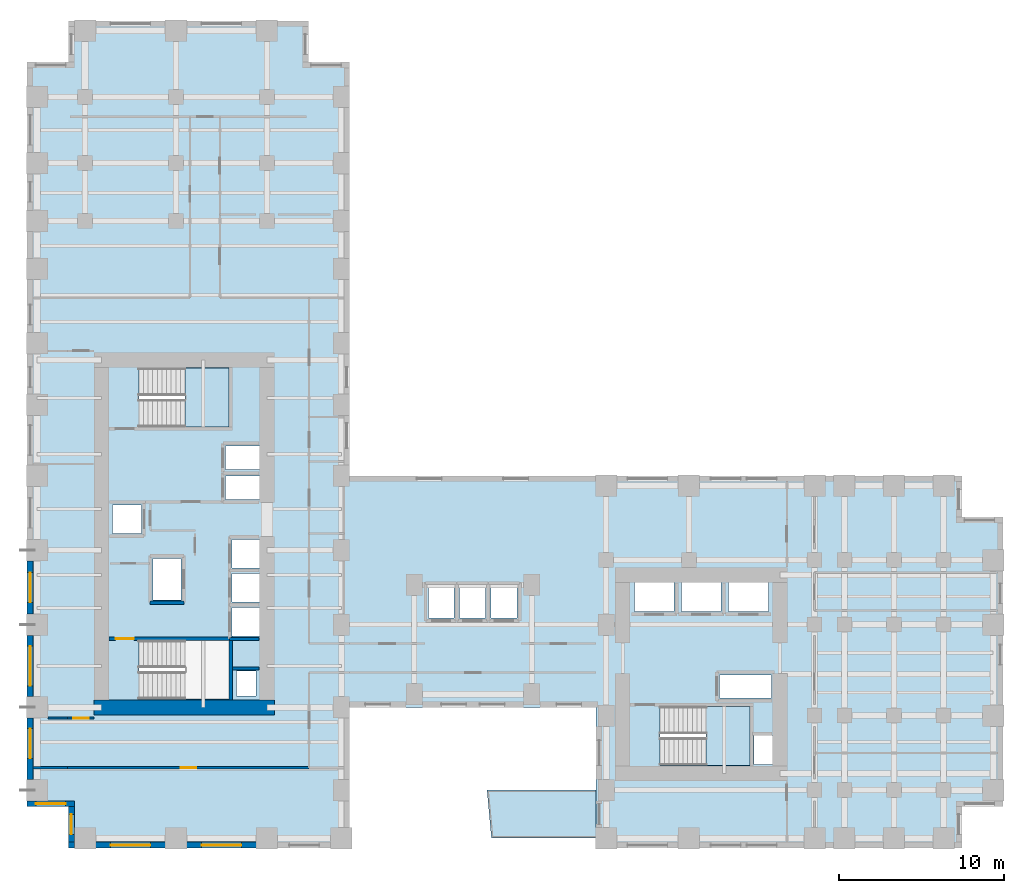
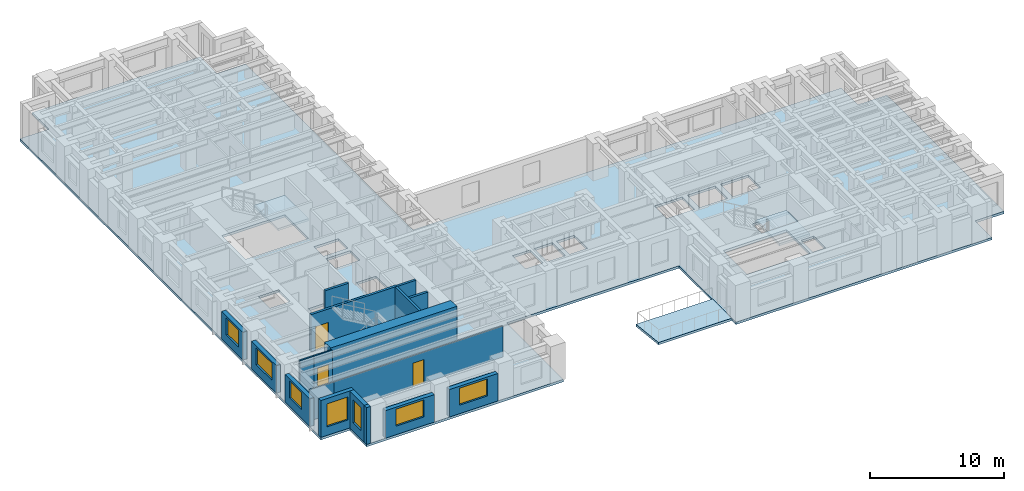
# One storey, part 3 of 12: 18 walls, 7 windows, 4 slabs, 3 doors, 10 openings, 2 elements without a shape of their own.
"""IFC4 building model written with IfcOpenShell, lengths in metres."""

from ifc_helpers import new_model, si_unit, direction, frame, frame_2d, origin, place, context, subcontext, project, spatial, polyline, rectangle, outline, extrude, source, transform, mapped, material, layer, layer_set, type_object, element, fill, aggregate, save


model = new_model("IFC4")

# Units and contexts
model_context = context("Model", 3, precision=1e-05, world=origin(), true_north=direction((0.0, 1.0)))
body_context = subcontext(model_context, "Body", "Model", "MODEL_VIEW")
ifc_project = project(units=[si_unit("LENGTHUNIT", "METRE"), si_unit("AREAUNIT", "SQUARE_METRE"), si_unit("VOLUMEUNIT", "CUBIC_METRE"), si_unit("PLANEANGLEUNIT", "RADIAN"), si_unit("MASSUNIT", "GRAM", prefix="KILO")], contexts=[model_context])

# Site, building, storey
site_placement = place(None, origin())
site = spatial("IfcSite", under=ifc_project, at=site_placement, CompositionType="ELEMENT")
building_placement = place(site_placement, origin())
building = spatial("IfcBuilding", under=site, at=building_placement, Name="Kharzan Plaza Tower", CompositionType="ELEMENT")
storey_placement = place(building_placement, frame((0.0, 0.0, 33.300048828125)))
storey = spatial("IfcBuildingStorey", under=building, at=storey_placement, Name="L08", CompositionType="ELEMENT", Elevation=33.300048828125)

# Slab
ifc_material_1 = material(Name="Concrete C40/50", Category="concrete")
ifc_layer_1 = layer(ifc_material_1, 0.219970703125)
ifc_layer_set_1 = layer_set([ifc_layer_1], Name="Concrete C40/50")
slab_type_1 = type_object("IfcSlabType", Name="SL-FLOOR-220", PredefinedType="FLOOR", material=ifc_layer_set_1)
slab_1_placement = place(storey_placement, frame((0.0, 0.0, -0.219970703125)))
element("IfcSlab", 1, at=slab_1_placement, inside=storey, type_object=slab_type_1, Name="L08 Composite Structural Floor Slab 220 mm", PredefinedType="FLOOR", context=body_context, shape_type="SweptSolid", body=[
    extrude(outline(polyline([(34.39990234375, 22.5), (19.5, 22.5), (19.5, 47.5), (17.0, 47.5), (17.0, 50.0), (2.5, 50.0), (2.5, 47.5), (0.0, 47.5), (0.0, 2.5), (2.5, 2.5), (2.5, 0.0), (19.5, 0.0), (19.5, 8.5), (34.39990234375, 8.5), (34.39990234375, 0.0), (56.5, 0.0), (56.5, 2.5), (59.0, 2.5), (59.0, 20.0), (56.5, 20.0), (56.5, 22.5), (34.39990234375, 22.5)]), holes=[polyline([(13.85009765625, 9.199951171875), (13.85009765625, 10.699951171875), (12.64990234375, 10.699951171875), (12.64990234375, 9.199951171875), (13.85009765625, 9.199951171875)]), polyline([(12.199951171875, 9.0), (12.199951171875, 12.550048828125), (6.75, 12.550048828125), (6.75, 9.0), (12.199951171875, 9.0)]), polyline([(14.10009765625, 12.800048828125), (14.10009765625, 14.530029296875), (12.39990234375, 14.530029296875), (12.39990234375, 12.800048828125), (14.10009765625, 12.800048828125)]), polyline([(14.10009765625, 14.8701171875), (14.10009765625, 16.60009765625), (12.39990234375, 16.60009765625), (12.39990234375, 14.8701171875), (14.10009765625, 14.8701171875)]), polyline([(9.300048828125, 15.0), (9.300048828125, 17.5), (7.60009765625, 17.5), (7.60009765625, 15.0), (9.300048828125, 15.0)]), polyline([(14.10009765625, 16.93994140625), (14.10009765625, 18.64990234375), (12.39990234375, 18.64990234375), (12.39990234375, 16.93994140625), (14.10009765625, 16.93994140625)]), polyline([(6.89990234375, 19.010009765625), (6.89990234375, 20.72998046875), (5.14990234375, 20.72998046875), (5.14990234375, 19.010009765625), (6.89990234375, 19.010009765625)]), polyline([(12.0, 21.070068359375), (14.10009765625, 21.070068359375), (14.10009765625, 22.489990234375), (12.0, 22.489990234375), (12.0, 21.070068359375)]), polyline([(12.0, 22.8701171875), (14.10009765625, 22.8701171875), (14.10009765625, 24.2900390625), (12.0, 24.2900390625), (12.0, 22.8701171875)]), polyline([(12.199951171875, 25.449951171875), (12.199951171875, 29.0), (6.75, 29.0), (6.75, 25.449951171875), (12.199951171875, 25.449951171875)]), polyline([(45.050048828125, 5.050048828125), (45.050048828125, 6.800048828125), (43.949951171875, 6.800048828125), (43.949951171875, 5.050048828125), (45.050048828125, 5.050048828125)]), polyline([(43.699951171875, 5.0), (43.699951171875, 8.550048828125), (38.25, 8.550048828125), (38.25, 5.0), (43.699951171875, 5.0)]), polyline([(41.85009765625, 9.070068359375), (45.0, 9.070068359375), (45.0, 10.469970703125), (41.85009765625, 10.469970703125), (41.85009765625, 9.070068359375)]), polyline([(24.25, 13.89990234375), (25.800048828125, 13.89990234375), (25.800048828125, 15.85009765625), (24.25, 15.85009765625), (24.25, 13.89990234375)]), polyline([(27.699951171875, 13.89990234375), (27.699951171875, 15.85009765625), (26.14990234375, 15.85009765625), (26.14990234375, 13.89990234375), (27.699951171875, 13.89990234375)]), polyline([(29.60009765625, 13.89990234375), (29.60009765625, 15.85009765625), (28.050048828125, 15.85009765625), (28.050048828125, 13.89990234375), (29.60009765625, 13.89990234375)]), polyline([(39.10009765625, 14.300048828125), (39.10009765625, 16.14990234375), (36.699951171875, 16.14990234375), (36.699951171875, 14.300048828125), (39.10009765625, 14.300048828125)]), polyline([(39.550048828125, 14.300048828125), (41.949951171875, 14.300048828125), (41.949951171875, 16.14990234375), (39.550048828125, 16.14990234375), (39.550048828125, 14.300048828125)]), polyline([(42.39990234375, 14.300048828125), (44.800048828125, 14.300048828125), (44.800048828125, 16.14990234375), (42.39990234375, 16.14990234375), (42.39990234375, 14.300048828125)])]), origin(), (0.0, 0.0, 1.0), 0.219970703125),
])

# Stair, slab
stair_type_1 = type_object("IfcStairType", Name="STR-ST-2", PredefinedType="HALF_TURN_STAIR", material=ifc_material_1)
stair_1_placement = place(storey_placement, origin())
stair_1 = element("IfcStair", 2, at=stair_1_placement, inside=storey, type_object=stair_type_1, Name="L08 Protected Exit Stair ST-2", PredefinedType="HALF_TURN_STAIR")
ifc_layer_2 = layer(ifc_material_1, 0.219970703125)
ifc_layer_set_2 = layer_set([ifc_layer_2], Name="Concrete C40/50")
slab_type_2 = type_object("IfcSlabType", Name="SL-LANDING-220", PredefinedType="LANDING", material=ifc_layer_set_2)
slab_2_placement = place(storey_placement, frame((0.0, 0.0, 1.599853515625)))
slab_2 = element("IfcSlab", 3, at=slab_2_placement, type_object=slab_type_2, Name="ST-2 landing 1", PredefinedType="LANDING", context=body_context, shape_type="SweptSolid", body=[
    extrude(outline(polyline([(9.550048828125, 25.449951171875), (12.199951171875, 25.449951171875), (12.199951171875, 29.0), (9.550048828125, 29.0), (9.550048828125, 25.449951171875)])), origin(), (0.0, 0.0, 1.0), 0.2001953125),
])
aggregate(stair_1, [slab_2])

stair_type_2 = type_object("IfcStairType", Name="STR-ST-3", PredefinedType="HALF_TURN_STAIR", material=ifc_material_1)
stair_2_placement = place(storey_placement, origin())
stair_2 = element("IfcStair", 4, at=stair_2_placement, inside=storey, type_object=stair_type_2, Name="L08 Protected Exit Stair ST-3", PredefinedType="HALF_TURN_STAIR")
slab_3_placement = place(storey_placement, frame((0.0, 0.0, 1.599853515625)))
slab_3 = element("IfcSlab", 5, at=slab_3_placement, type_object=slab_type_2, Name="ST-3 landing 1", PredefinedType="LANDING", context=body_context, shape_type="SweptSolid", body=[
    extrude(outline(polyline([(41.050048828125, 5.0), (43.699951171875, 5.0), (43.699951171875, 8.550048828125), (41.050048828125, 8.550048828125), (41.050048828125, 5.0)])), origin(), (0.0, 0.0, 1.0), 0.2001953125),
])
aggregate(stair_2, [slab_3])

# Slab
ifc_layer_3 = layer(ifc_material_1, 0.215087890625)
ifc_layer_set_3 = layer_set([ifc_layer_3], Name="Concrete C40/50")
slab_type_3 = type_object("IfcSlabType", Name="SL-TRAY-215", PredefinedType="ROOF", material=ifc_layer_set_3)
slab_4_placement = place(storey_placement, frame((0.0, 0.0, -0.215087890625)))
element("IfcSlab", 6, at=slab_4_placement, inside=storey, type_object=slab_type_3, Name="L08 Sky Terrace Tray Slab", PredefinedType="ROOF", context=body_context, shape_type="SweptSolid", body=[
    extrude(outline(polyline([(28.06396484375, 0.60009765625), (34.39990234375, 0.60009765625), (34.39990234375, 3.5), (27.800048828125, 3.5), (28.06396484375, 0.60009765625)])), origin(), (0.0, 0.0, 1.0), 0.215087890625),
])

# Wall, opening, window
ifc_layer_4 = layer(ifc_material_1, 0.35009765625)
ifc_layer_set_4 = layer_set([ifc_layer_4], Name="Concrete C40/50")
wall_type_1 = type_object("IfcWallType", Name="WL-EXT-MAS-Z1", PredefinedType="SOLIDWALL", material=ifc_layer_set_4)
wall_1_placement = place(storey_placement, frame((0.175048828125, 17.35205078125, 0.0), z_axis=(0.0, 0.0, 1.0), x_axis=(0.0, -1.0, 0.0)))
wall_1 = element("IfcWall", 7, at=wall_1_placement, inside=storey, type_object=wall_type_1, Name="L08 Masonry-Frame Exterior Wall 17", PredefinedType="SOLIDWALL", context=body_context, shape_type="SweptSolid", body=[
    extrude(rectangle(XDim=3.2041015625, YDim=0.35009765625, at=frame_2d((1.60205078125, 0.0))), origin(), (0.0, 0.0, 1.0), 2.510009765625),
])
opening_1_placement = place(wall_1_placement, frame((0.701904296875, 0.0, 0.780029296875)))
opening_1 = element("IfcOpeningElement", 8, at=opening_1_placement, cuts=wall_1, Name="Opening W1", PredefinedType="OPENING", context=body_context, shape_type="SweptSolid", body=[
    extrude(rectangle(XDim=1.800048828125, YDim=1.550048828125, at=frame_2d((0.89990234375, 0.77490234375))), frame((0.0, 0.18505859375, 0.0), z_axis=(0.0, -1.0, 0.0), x_axis=(1.0, 0.0, 0.0)), (0.0, 0.0, 1.0), 0.3701171875),
])
ifc_material_2 = material(Name="Low-E Double Glazing", Category="glass")
window_type_1 = type_object("IfcWindowType", Name="WN-REC-1800x2100", PartitioningType="SINGLE_PANEL", PredefinedType="WINDOW", material=ifc_material_2)
shared_shape_1 = source(origin(), body_context, "Body", "SweptSolid", [
    extrude(rectangle(XDim=1.800048828125, YDim=1.550048828125, at=frame_2d((0.89990234375, 0.77490234375))), frame((0.0, 0.030029296875, 0.0), z_axis=(0.0, -1.0, 0.0), x_axis=(1.0, 0.0, 0.0)), (0.0, 0.0, 1.0), 0.06005859375),
])
window_1_placement = place(opening_1_placement, origin())
window_1 = element("IfcWindow", 9, at=window_1_placement, inside=storey, type_object=window_type_1, Name="L08 Recessed Solar-Control Window 17-1", OverallHeight=1.550048828125, OverallWidth=1.800048828125, PartitioningType="SINGLE_PANEL", PredefinedType="WINDOW", context=body_context, shape_type="MappedRepresentation", body=[
    mapped(shared_shape_1, transform((0.0, 0.0, 0.0), x_axis=(1.0, 0.0, 0.0), y_axis=(0.0, 1.0, 0.0), z_axis=(0.0, 0.0, 1.0))),
])
fill(opening_1, window_1)

wall_2_placement = place(storey_placement, frame((0.175048828125, 12.85205078125, 0.0), z_axis=(0.0, 0.0, 1.0), x_axis=(0.0, -1.0, 0.0)))
wall_2 = element("IfcWall", 10, at=wall_2_placement, inside=storey, type_object=wall_type_1, Name="L08 Masonry-Frame Exterior Wall 18", PredefinedType="SOLIDWALL", context=body_context, shape_type="SweptSolid", body=[
    extrude(rectangle(XDim=3.7041015625, YDim=0.35009765625, at=frame_2d((1.85205078125, 0.0))), origin(), (0.0, 0.0, 1.0), 2.510009765625),
])
opening_2_placement = place(wall_2_placement, frame((0.652099609375, 0.0, 0.780029296875)))
opening_2 = element("IfcOpeningElement", 11, at=opening_2_placement, cuts=wall_2, Name="Opening W2", PredefinedType="OPENING", context=body_context, shape_type="SweptSolid", body=[
    extrude(rectangle(XDim=2.39990234375, YDim=1.550048828125, at=frame_2d((1.199951171875, 0.77490234375))), frame((0.0, 0.18505859375, 0.0), z_axis=(0.0, -1.0, 0.0), x_axis=(1.0, 0.0, 0.0)), (0.0, 0.0, 1.0), 0.3701171875),
])
window_type_2 = type_object("IfcWindowType", Name="WN-REC-2400x2100", PartitioningType="SINGLE_PANEL", PredefinedType="WINDOW", material=ifc_material_2)
shared_shape_2 = source(origin(), body_context, "Body", "SweptSolid", [
    extrude(rectangle(XDim=2.39990234375, YDim=1.550048828125, at=frame_2d((1.199951171875, 0.77490234375))), frame((0.0, 0.030029296875, 0.0), z_axis=(0.0, -1.0, 0.0), x_axis=(1.0, 0.0, 0.0)), (0.0, 0.0, 1.0), 0.06005859375),
])
window_2_placement = place(opening_2_placement, origin())
window_2 = element("IfcWindow", 12, at=window_2_placement, inside=storey, type_object=window_type_2, Name="L08 Wide Recessed Solar-Control Window 18-1", OverallHeight=1.550048828125, OverallWidth=2.39990234375, PartitioningType="SINGLE_PANEL", PredefinedType="WINDOW", context=body_context, shape_type="MappedRepresentation", body=[
    mapped(shared_shape_2, transform((0.0, 0.0, 0.0), x_axis=(1.0, 0.0, 0.0), y_axis=(0.0, 1.0, 0.0), z_axis=(0.0, 0.0, 1.0))),
])
fill(opening_2, window_2)

wall_3_placement = place(storey_placement, frame((0.175048828125, 7.85205078125, 0.0), z_axis=(0.0, 0.0, 1.0), x_axis=(0.0, -1.0, 0.0)))
wall_3 = element("IfcWall", 13, at=wall_3_placement, inside=storey, type_object=wall_type_1, Name="L08 Masonry-Frame Exterior Wall 19", PredefinedType="SOLIDWALL", context=body_context, shape_type="SweptSolid", body=[
    extrude(rectangle(XDim=3.7041015625, YDim=0.35009765625, at=frame_2d((1.85205078125, 0.0))), origin(), (0.0, 0.0, 1.0), 2.510009765625),
])
opening_3_placement = place(wall_3_placement, frame((0.635986328125, 0.0, 0.780029296875)))
opening_3 = element("IfcOpeningElement", 14, at=opening_3_placement, cuts=wall_3, Name="Opening W1", PredefinedType="OPENING", context=body_context, shape_type="SweptSolid", body=[
    extrude(rectangle(XDim=1.800048828125, YDim=1.550048828125, at=frame_2d((0.89990234375, 0.77490234375))), frame((0.0, 0.18505859375, 0.0), z_axis=(0.0, -1.0, 0.0), x_axis=(1.0, 0.0, 0.0)), (0.0, 0.0, 1.0), 0.3701171875),
])
window_3_placement = place(opening_3_placement, origin())
window_3 = element("IfcWindow", 15, at=window_3_placement, inside=storey, type_object=window_type_1, Name="L08 Recessed Solar-Control Window 19-1", OverallHeight=1.550048828125, OverallWidth=1.800048828125, PartitioningType="SINGLE_PANEL", PredefinedType="WINDOW", context=body_context, shape_type="MappedRepresentation", body=[
    mapped(shared_shape_1, transform((0.0, 0.0, 0.0), x_axis=(1.0, 0.0, 0.0), y_axis=(0.0, 1.0, 0.0), z_axis=(0.0, 0.0, 1.0))),
])
fill(opening_3, window_3)

wall_4_placement = place(storey_placement, frame((0.0, 2.675048828125, 0.0), z_axis=(0.0, 0.0, 1.0), x_axis=(1.0, 0.0, 0.0)))
wall_4 = element("IfcWall", 16, at=wall_4_placement, inside=storey, type_object=wall_type_1, Name="L08 Masonry-Frame Exterior Wall 20", PredefinedType="SOLIDWALL", context=body_context, shape_type="SweptSolid", body=[
    extrude(rectangle(XDim=2.85009765625, YDim=0.35009765625, at=frame_2d((1.425048828125, 0.0))), origin(), (0.0, 0.0, 1.0), 3.364990234375),
])
opening_4_placement = place(wall_4_placement, frame((0.52490234375, 0.0, 0.780029296875)))
opening_4 = element("IfcOpeningElement", 17, at=opening_4_placement, cuts=wall_4, Name="Opening W1", PredefinedType="OPENING", context=body_context, shape_type="SweptSolid", body=[
    extrude(rectangle(XDim=1.800048828125, YDim=2.10009765625, at=frame_2d((0.89990234375, 1.050048828125))), frame((0.0, 0.18505859375, 0.0), z_axis=(0.0, -1.0, 0.0), x_axis=(1.0, 0.0, 0.0)), (0.0, 0.0, 1.0), 0.3701171875),
])
shared_shape_3 = source(origin(), body_context, "Body", "SweptSolid", [
    extrude(rectangle(XDim=1.800048828125, YDim=2.10009765625, at=frame_2d((0.89990234375, 1.050048828125))), frame((0.0, 0.030029296875, 0.0), z_axis=(0.0, -1.0, 0.0), x_axis=(1.0, 0.0, 0.0)), (0.0, 0.0, 1.0), 0.06005859375),
])
window_4_placement = place(opening_4_placement, origin())
window_4 = element("IfcWindow", 18, at=window_4_placement, inside=storey, type_object=window_type_1, Name="L08 Recessed Solar-Control Window 20-1", OverallHeight=2.10009765625, OverallWidth=1.800048828125, PartitioningType="SINGLE_PANEL", PredefinedType="WINDOW", context=body_context, shape_type="MappedRepresentation", body=[
    mapped(shared_shape_3, transform((0.0, 0.0, 0.0), x_axis=(1.0, 0.0, 0.0), y_axis=(0.0, 1.0, 0.0), z_axis=(0.0, 0.0, 1.0))),
])
fill(opening_4, window_4)

wall_5_placement = place(storey_placement, frame((2.675048828125, 2.501953125, 0.0), z_axis=(0.0, 0.0, 1.0), x_axis=(0.0, -1.0, 0.0)))
wall_5 = element("IfcWall", 19, at=wall_5_placement, inside=storey, type_object=wall_type_1, Name="L08 Masonry-Frame Exterior Wall 21", PredefinedType="SOLIDWALL", context=body_context, shape_type="SweptSolid", body=[
    extrude(rectangle(XDim=2.154052734375, YDim=0.35009765625, at=frame_2d((1.0771484375, 0.0))), origin(), (0.0, 0.0, 1.0), 3.364990234375),
])
opening_5_placement = place(wall_5_placement, frame((0.47705078125, 0.0, 0.780029296875)))
opening_5 = element("IfcOpeningElement", 20, at=opening_5_placement, cuts=wall_5, Name="Opening W3", PredefinedType="OPENING", context=body_context, shape_type="SweptSolid", body=[
    extrude(rectangle(XDim=1.199951171875, YDim=2.10009765625, at=frame_2d((0.60009765625, 1.050048828125))), frame((0.0, 0.18505859375, 0.0), z_axis=(0.0, -1.0, 0.0), x_axis=(1.0, 0.0, 0.0)), (0.0, 0.0, 1.0), 0.3701171875),
])
window_type_3 = type_object("IfcWindowType", Name="WN-REC-1200x2100", PartitioningType="SINGLE_PANEL", PredefinedType="WINDOW", material=ifc_material_2)
shared_shape_4 = source(origin(), body_context, "Body", "SweptSolid", [
    extrude(rectangle(XDim=1.199951171875, YDim=2.10009765625, at=frame_2d((0.60009765625, 1.050048828125))), frame((0.0, 0.030029296875, 0.0), z_axis=(0.0, -1.0, 0.0), x_axis=(1.0, 0.0, 0.0)), (0.0, 0.0, 1.0), 0.06005859375),
])
window_5_placement = place(opening_5_placement, origin())
window_5 = element("IfcWindow", 21, at=window_5_placement, inside=storey, type_object=window_type_3, Name="L08 Recessed Solar-Control Window 21-1", OverallHeight=2.10009765625, OverallWidth=1.199951171875, PartitioningType="SINGLE_PANEL", PredefinedType="WINDOW", context=body_context, shape_type="MappedRepresentation", body=[
    mapped(shared_shape_4, transform((0.0, 0.0, 0.0), x_axis=(1.0, 0.0, 0.0), y_axis=(0.0, 1.0, 0.0), z_axis=(0.0, 0.0, 1.0))),
])
fill(opening_5, window_5)

wall_6_placement = place(storey_placement, frame((4.14794921875, 0.175048828125, 0.0), z_axis=(0.0, 0.0, 1.0), x_axis=(1.0, 0.0, 0.0)))
wall_6 = element("IfcWall", 22, at=wall_6_placement, inside=storey, type_object=wall_type_1, Name="L08 Masonry-Frame Exterior Wall 23", PredefinedType="SOLIDWALL", context=body_context, shape_type="SweptSolid", body=[
    extrude(rectangle(XDim=4.2041015625, YDim=0.35009765625, at=frame_2d((2.10205078125, 0.0))), origin(), (0.0, 0.0, 1.0), 2.510009765625),
])
opening_6_placement = place(wall_6_placement, frame((0.902099609375, 0.0, 0.780029296875)))
opening_6 = element("IfcOpeningElement", 23, at=opening_6_placement, cuts=wall_6, Name="Opening W2", PredefinedType="OPENING", context=body_context, shape_type="SweptSolid", body=[
    extrude(rectangle(XDim=2.39990234375, YDim=1.550048828125, at=frame_2d((1.199951171875, 0.77490234375))), frame((0.0, 0.18505859375, 0.0), z_axis=(0.0, -1.0, 0.0), x_axis=(1.0, 0.0, 0.0)), (0.0, 0.0, 1.0), 0.3701171875),
])
window_6_placement = place(opening_6_placement, origin())
window_6 = element("IfcWindow", 24, at=window_6_placement, inside=storey, type_object=window_type_2, Name="L08 Wide Recessed Solar-Control Window 23-1", OverallHeight=1.550048828125, OverallWidth=2.39990234375, PartitioningType="SINGLE_PANEL", PredefinedType="WINDOW", context=body_context, shape_type="MappedRepresentation", body=[
    mapped(shared_shape_2, transform((0.0, 0.0, 0.0), x_axis=(1.0, 0.0, 0.0), y_axis=(0.0, 1.0, 0.0), z_axis=(0.0, 0.0, 1.0))),
])
fill(opening_6, window_6)

wall_7_placement = place(storey_placement, frame((9.64794921875, 0.175048828125, 0.0), z_axis=(0.0, 0.0, 1.0), x_axis=(1.0, 0.0, 0.0)))
wall_7 = element("IfcWall", 25, at=wall_7_placement, inside=storey, type_object=wall_type_1, Name="L08 Masonry-Frame Exterior Wall 24", PredefinedType="SOLIDWALL", context=body_context, shape_type="SweptSolid", body=[
    extrude(rectangle(XDim=4.2041015625, YDim=0.35009765625, at=frame_2d((2.10205078125, 0.0))), origin(), (0.0, 0.0, 1.0), 2.510009765625),
])
opening_7_placement = place(wall_7_placement, frame((0.902099609375, 0.0, 0.780029296875)))
opening_7 = element("IfcOpeningElement", 26, at=opening_7_placement, cuts=wall_7, Name="Opening W2", PredefinedType="OPENING", context=body_context, shape_type="SweptSolid", body=[
    extrude(rectangle(XDim=2.39990234375, YDim=1.550048828125, at=frame_2d((1.199951171875, 0.77490234375))), frame((0.0, 0.18505859375, 0.0), z_axis=(0.0, -1.0, 0.0), x_axis=(1.0, 0.0, 0.0)), (0.0, 0.0, 1.0), 0.3701171875),
])
window_7_placement = place(opening_7_placement, origin())
window_7 = element("IfcWindow", 27, at=window_7_placement, inside=storey, type_object=window_type_2, Name="L08 Wide Recessed Solar-Control Window 24-1", OverallHeight=1.550048828125, OverallWidth=2.39990234375, PartitioningType="SINGLE_PANEL", PredefinedType="WINDOW", context=body_context, shape_type="MappedRepresentation", body=[
    mapped(shared_shape_2, transform((0.0, 0.0, 0.0), x_axis=(1.0, 0.0, 0.0), y_axis=(0.0, 1.0, 0.0), z_axis=(0.0, 0.0, 1.0))),
])
fill(opening_7, window_7)

# Wall, opening, door
ifc_material_3 = material(Name="Fire-Rated Gypsum Board Partition", Category="gypsum")
ifc_layer_5 = layer(ifc_material_3, 0.125)
ifc_layer_set_5 = layer_set([ifc_layer_5], Name="Fire-Rated Gypsum Board Partition")
wall_type_2 = type_object("IfcWallType", Name="WL-INT-PART-125", PredefinedType="PARTITIONING", material=ifc_layer_set_5)
wall_8_placement = place(storey_placement, frame((2.449951171875, 7.85009765625, 0.0), z_axis=(0.0, 0.0, 1.0), x_axis=(1.0, 0.0, 0.0)))
wall_8 = element("IfcWall", 28, at=wall_8_placement, inside=storey, type_object=wall_type_2, Name="L08 Interior Partition SH-RWSD", PredefinedType="PARTITIONING", context=body_context, shape_type="SweptSolid", body=[
    extrude(rectangle(XDim=1.60009765625, YDim=0.125, at=frame_2d((0.800048828125, 0.0))), origin(), (0.0, 0.0, 1.0), 3.364990234375),
])
opening_8_placement = place(wall_8_placement, frame((0.324951171875, 0.0, 0.0)))
opening_8 = element("IfcOpeningElement", 29, at=opening_8_placement, cuts=wall_8, Name="Opening OD1", PredefinedType="OPENING", context=body_context, shape_type="SweptSolid", body=[
    extrude(rectangle(XDim=0.949951171875, YDim=2.14990234375, at=frame_2d((0.47509765625, 1.074951171875))), frame((0.0, 0.072509765625, 0.0), z_axis=(0.0, -1.0, 0.0), x_axis=(1.0, 0.0, 0.0)), (0.0, 0.0, 1.0), 0.14501953125),
])
ifc_material_4 = material(Name="Acoustic Solid-Core Stained Oak", Category="timber")
door_type_1 = type_object("IfcDoorType", Name="DR-OFF-SINGLE", OperationType="NOTDEFINED", PredefinedType="DOOR", material=ifc_material_4)
shared_shape_5 = source(origin(), body_context, "Body", "SweptSolid", [
    extrude(rectangle(XDim=0.949951171875, YDim=2.14990234375, at=frame_2d((0.47509765625, 1.074951171875))), frame((0.0, 0.02490234375, 0.0), z_axis=(0.0, -1.0, 0.0), x_axis=(1.0, 0.0, 0.0)), (0.0, 0.0, 1.0), 0.050048828125),
])
door_1_placement = place(opening_8_placement, origin())
door_1 = element("IfcDoor", 30, at=door_1_placement, inside=storey, type_object=door_type_1, Name="L08 West Office 1 Door", OperationType="SINGLE_SWING_LEFT", OverallHeight=2.14990234375, OverallWidth=0.949951171875, PredefinedType="DOOR", context=body_context, shape_type="MappedRepresentation", body=[
    mapped(shared_shape_5, transform((0.0, 0.0, 0.0), x_axis=(1.0, 0.0, 0.0), y_axis=(0.0, 1.0, 0.0), z_axis=(0.0, 0.0, 1.0))),
])
fill(opening_8, door_1)

wall_9_placement = place(storey_placement, frame((2.449951171875, 4.85009765625, 0.0), z_axis=(0.0, 0.0, 1.0), x_axis=(1.0, 0.0, 0.0)))
wall_9 = element("IfcWall", 31, at=wall_9_placement, inside=storey, type_object=wall_type_2, Name="L08 Interior Partition SH-SS-1", PredefinedType="PARTITIONING", context=body_context, shape_type="SweptSolid", body=[
    extrude(rectangle(XDim=14.60009765625, YDim=0.125, at=frame_2d((7.300048828125, 0.0))), origin(), (0.0, 0.0, 1.0), 2.827880859375),
])
opening_9_placement = place(wall_9_placement, frame((6.824951171875, 0.0, 0.0)))
opening_9 = element("IfcOpeningElement", 32, at=opening_9_placement, cuts=wall_9, Name="Opening OD1", PredefinedType="OPENING", context=body_context, shape_type="SweptSolid", body=[
    extrude(rectangle(XDim=0.949951171875, YDim=2.14990234375, at=frame_2d((0.47509765625, 1.074951171875))), frame((0.0, 0.072509765625, 0.0), z_axis=(0.0, -1.0, 0.0), x_axis=(1.0, 0.0, 0.0)), (0.0, 0.0, 1.0), 0.14501953125),
])
door_2_placement = place(opening_9_placement, origin())
door_2 = element("IfcDoor", 33, at=door_2_placement, inside=storey, type_object=door_type_1, Name="L08 Operations Control Office Door", OperationType="SINGLE_SWING_LEFT", OverallHeight=2.14990234375, OverallWidth=0.949951171875, PredefinedType="DOOR", context=body_context, shape_type="MappedRepresentation", body=[
    mapped(shared_shape_5, transform((0.0, 0.0, 0.0), x_axis=(1.0, 0.0, 0.0), y_axis=(0.0, 1.0, 0.0), z_axis=(0.0, 0.0, 1.0))),
])
fill(opening_9, door_2)

ifc_material_5 = material(Name="Concrete C50/60", Category="concrete")
ifc_layer_6 = layer(ifc_material_5, 0.199951171875)
ifc_layer_set_6 = layer_set([ifc_layer_6], Name="Concrete C50/60")
wall_type_3 = type_object("IfcWallType", Name="WL-SHAFT-RC200", PredefinedType="SHEAR", material=ifc_layer_set_6)
wall_10_placement = place(storey_placement, frame((4.951904296875, 12.655029296875, 0.0), z_axis=(0.0, 0.0, 1.0), x_axis=(1.0, 0.0, 0.0)))
wall_10 = element("IfcWall", 34, at=wall_10_placement, inside=storey, type_object=wall_type_3, Name="L08 Stair ST-1 North RC Shaft Wall", PredefinedType="SHEAR", context=body_context, shape_type="SweptSolid", body=[
    extrude(rectangle(XDim=7.453125, YDim=0.199951171875, at=frame_2d((3.7265625, 0.0))), origin(), (0.0, 0.0, 1.0), 3.3798828125),
])
opening_10_placement = place(wall_10_placement, frame((0.39990234375, 0.0, 0.0)))
opening_10 = element("IfcOpeningElement", 35, at=opening_10_placement, cuts=wall_10, Name="Opening SD1", PredefinedType="OPENING", context=body_context, shape_type="SweptSolid", body=[
    extrude(rectangle(XDim=1.10009765625, YDim=2.14990234375, at=frame_2d((0.550048828125, 1.074951171875))), frame((0.0, 0.10986328125, 0.0), z_axis=(0.0, -1.0, 0.0), x_axis=(1.0, 0.0, 0.0)), (0.0, 0.0, 1.0), 0.219970703125),
])
ifc_material_6 = material(Name="Fire-Rated Hollow Galvanized Steel", Category="steel")
door_type_2 = type_object("IfcDoorType", Name="DR-STAIR-FD120", OperationType="NOTDEFINED", PredefinedType="DOOR", material=ifc_material_6)
shared_shape_6 = source(origin(), body_context, "Body", "SweptSolid", [
    extrude(rectangle(XDim=1.10009765625, YDim=2.14990234375, at=frame_2d((0.550048828125, 1.074951171875))), frame((0.0, 0.02490234375, 0.0), z_axis=(0.0, -1.0, 0.0), x_axis=(1.0, 0.0, 0.0)), (0.0, 0.0, 1.0), 0.050048828125),
])
door_3_placement = place(opening_10_placement, origin())
door_3 = element("IfcDoor", 36, at=door_3_placement, inside=storey, type_object=door_type_2, Name="L08 Stair ST-1 Fire Exit Door", OperationType="SINGLE_SWING_RIGHT", OverallHeight=2.14990234375, OverallWidth=1.10009765625, PredefinedType="DOOR", context=body_context, shape_type="MappedRepresentation", body=[
    mapped(shared_shape_6, transform((0.0, 0.0, 0.0), x_axis=(1.0, 0.0, 0.0), y_axis=(0.0, 1.0, 0.0), z_axis=(0.0, 0.0, 1.0))),
])
fill(opening_10, door_3)

# Walls
ifc_material_7 = material(Name="Concrete C60/75", Category="concrete")
ifc_layer_7 = layer(ifc_material_7, 0.89990234375)
ifc_layer_set_7 = layer_set([ifc_layer_7], Name="Concrete C60/75")
wall_type_4 = type_object("IfcWallType", Name="WL-CORE-900", PredefinedType="SHEAR", material=ifc_layer_set_7)
shared_shape_7 = source(origin(), body_context, "Body", "SweptSolid", [
    extrude(rectangle(XDim=10.89990234375, YDim=0.89990234375, at=frame_2d((5.449951171875, 0.0))), origin(), (0.0, 0.0, 1.0), 3.3798828125),
])
wall_11_placement = place(storey_placement, frame((4.050048828125, 8.5, 0.0), z_axis=(0.0, 0.0, 1.0), x_axis=(1.0, 0.0, 0.0)))
element("IfcWall", 37, at=wall_11_placement, inside=storey, type_object=wall_type_4, Name="L08 CORE-A south RC shear wall", PredefinedType="SHEAR", context=body_context, shape_type="MappedRepresentation", body=[
    mapped(shared_shape_7, transform((0.0, 0.0, 0.0), x_axis=(1.0, 0.0, 0.0), y_axis=(0.0, 1.0, 0.0), z_axis=(0.0, 0.0, 1.0))),
])
shared_shape_8 = source(origin(), body_context, "Body", "SweptSolid", [
    extrude(rectangle(XDim=0.35205078125, YDim=0.35009765625, at=frame_2d((0.176025390625, 0.0))), origin(), (0.0, 0.0, 1.0), 3.364990234375),
])
wall_12_placement = place(storey_placement, frame((2.5, 0.175048828125, 0.0), z_axis=(0.0, 0.0, 1.0), x_axis=(1.0, 0.0, 0.0)))
element("IfcWall", 38, at=wall_12_placement, inside=storey, type_object=wall_type_1, Name="L08 Masonry-Frame Exterior Wall 22", PredefinedType="SOLIDWALL", context=body_context, shape_type="MappedRepresentation", body=[
    mapped(shared_shape_8, transform((0.0, 0.0, 0.0), x_axis=(1.0, 0.0, 0.0), y_axis=(0.0, 1.0, 0.0), z_axis=(0.0, 0.0, 1.0))),
])
shared_shape_9 = source(origin(), body_context, "Body", "SweptSolid", [
    extrude(rectangle(XDim=1.18994140625, YDim=0.125, at=frame_2d((0.594970703125, 0.0))), origin(), (0.0, 0.0, 1.0), 3.364990234375),
])
wall_13_placement = place(storey_placement, frame((1.260009765625, 7.85009765625, 0.0), z_axis=(0.0, 0.0, 1.0), x_axis=(1.0, 0.0, 0.0)))
element("IfcWall", 39, at=wall_13_placement, inside=storey, type_object=wall_type_2, Name="L08 Interior Partition SH-RWS0", PredefinedType="PARTITIONING", context=body_context, shape_type="MappedRepresentation", body=[
    mapped(shared_shape_9, transform((0.0, 0.0, 0.0), x_axis=(1.0, 0.0, 0.0), y_axis=(0.0, 1.0, 0.0), z_axis=(0.0, 0.0, 1.0))),
])
shared_shape_10 = source(origin(), body_context, "Body", "SweptSolid", [
    extrude(rectangle(XDim=2.097900390625, YDim=0.125, at=frame_2d((1.048828125, 0.0))), origin(), (0.0, 0.0, 1.0), 2.827880859375),
])
wall_14_placement = place(storey_placement, frame((0.35205078125, 4.85009765625, 0.0), z_axis=(0.0, 0.0, 1.0), x_axis=(1.0, 0.0, 0.0)))
element("IfcWall", 40, at=wall_14_placement, inside=storey, type_object=wall_type_2, Name="L08 Interior Partition SH-SS-EXT", PredefinedType="PARTITIONING", context=body_context, shape_type="MappedRepresentation", body=[
    mapped(shared_shape_10, transform((0.0, 0.0, 0.0), x_axis=(1.0, 0.0, 0.0), y_axis=(0.0, 1.0, 0.0), z_axis=(0.0, 0.0, 1.0))),
])
ifc_layer_8 = layer(ifc_material_1, 0.199951171875)
ifc_layer_set_8 = layer_set([ifc_layer_8], Name="Concrete C40/50")
wall_type_5 = type_object("IfcWallType", Name="WL-INT-SHAFT-200", PredefinedType="PARTITIONING", material=ifc_layer_set_8)
shared_shape_11 = source(origin(), body_context, "Body", "SweptSolid", [
    extrude(rectangle(XDim=1.60009765625, YDim=0.199951171875, at=frame_2d((0.800048828125, 0.0))), origin(), (0.0, 0.0, 1.0), 3.364990234375),
])
wall_15_placement = place(storey_placement, frame((12.419921875, 10.85009765625, 0.0), z_axis=(0.0, 0.0, 1.0), x_axis=(1.0, 0.0, 0.0)))
element("IfcWall", 41, at=wall_15_placement, inside=storey, type_object=wall_type_5, Name="L08 Interior Partition CA-RSRA-N", PredefinedType="PARTITIONING", context=body_context, shape_type="MappedRepresentation", body=[
    mapped(shared_shape_11, transform((0.0, 0.0, 0.0), x_axis=(1.0, 0.0, 0.0), y_axis=(0.0, 1.0, 0.0), z_axis=(0.0, 0.0, 1.0))),
])
shared_shape_12 = source(origin(), body_context, "Body", "SweptSolid", [
    extrude(rectangle(XDim=1.7900390625, YDim=0.199951171875, at=frame_2d((0.89501953125, 0.0))), origin(), (0.0, 0.0, 1.0), 3.364990234375),
])
wall_16_placement = place(storey_placement, frame((12.22998046875, 12.6298828125, 0.0), z_axis=(0.0, 0.0, 1.0), x_axis=(1.0, 0.0, 0.0)))
element("IfcWall", 42, at=wall_16_placement, inside=storey, type_object=wall_type_5, Name="L08 Interior Partition SHF-PL-H1-S", PredefinedType="PARTITIONING", context=body_context, shape_type="MappedRepresentation", body=[
    mapped(shared_shape_12, transform((0.0, 0.0, 0.0), x_axis=(1.0, 0.0, 0.0), y_axis=(0.0, 1.0, 0.0), z_axis=(0.0, 0.0, 1.0))),
])
shared_shape_13 = source(origin(), body_context, "Body", "SweptSolid", [
    extrude(rectangle(XDim=2.0400390625, YDim=0.199951171875, at=frame_2d((1.02001953125, 0.0))), origin(), (0.0, 0.0, 1.0), 3.364990234375),
])
wall_17_placement = place(storey_placement, frame((7.429931640625, 14.830078125, 0.0), z_axis=(0.0, 0.0, 1.0), x_axis=(1.0, 0.0, 0.0)))
element("IfcWall", 43, at=wall_17_placement, inside=storey, type_object=wall_type_5, Name="L08 Interior Partition SHF-SVL-1-S", PredefinedType="PARTITIONING", context=body_context, shape_type="MappedRepresentation", body=[
    mapped(shared_shape_13, transform((0.0, 0.0, 0.0), x_axis=(1.0, 0.0, 0.0), y_axis=(0.0, 1.0, 0.0), z_axis=(0.0, 0.0, 1.0))),
])
shared_shape_14 = source(origin(), body_context, "Body", "SweptSolid", [
    extrude(rectangle(XDim=3.60302734375, YDim=0.199951171875, at=frame_2d((1.801513671875, 0.0))), origin(), (0.0, 0.0, 1.0), 3.3798828125),
])
wall_18_placement = place(storey_placement, frame((12.304931640625, 8.951904296875, 0.0), z_axis=(0.0, 0.0, 1.0), x_axis=(0.0, 1.0, 0.0)))
element("IfcWall", 44, at=wall_18_placement, inside=storey, type_object=wall_type_3, Name="L08 Stair ST-1 East RC Shaft Wall", PredefinedType="SHEAR", context=body_context, shape_type="MappedRepresentation", body=[
    mapped(shared_shape_14, transform((0.0, 0.0, 0.0), x_axis=(1.0, 0.0, 0.0), y_axis=(0.0, 1.0, 0.0), z_axis=(0.0, 0.0, 1.0))),
])

save(model, "model.ifc")
